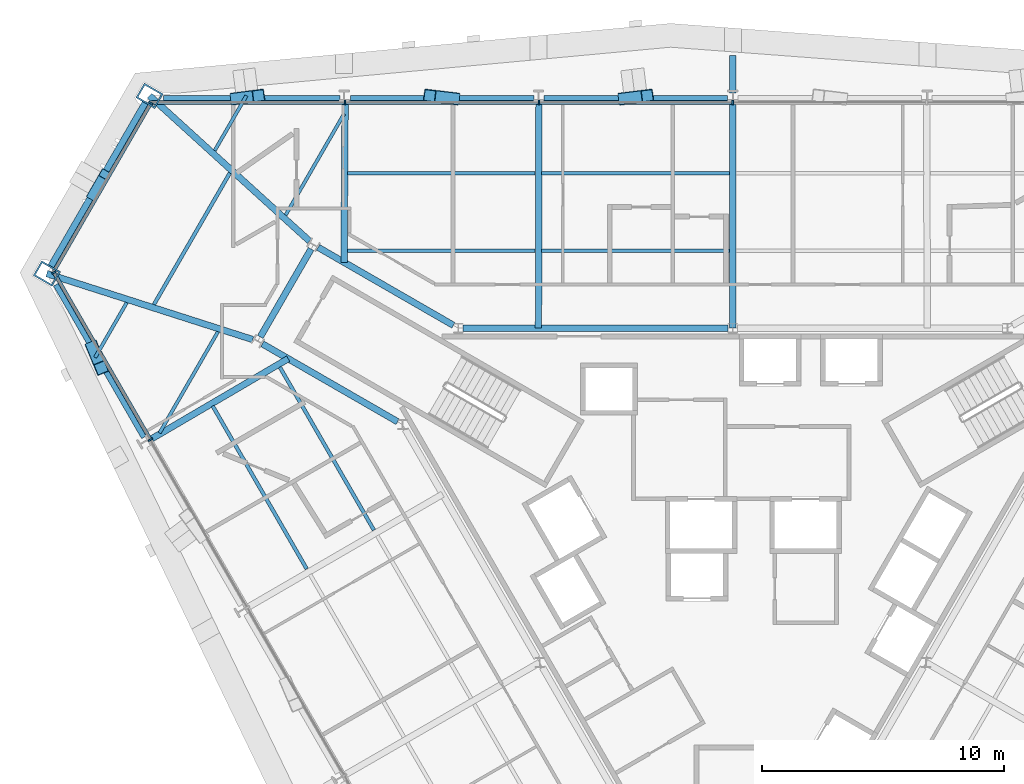
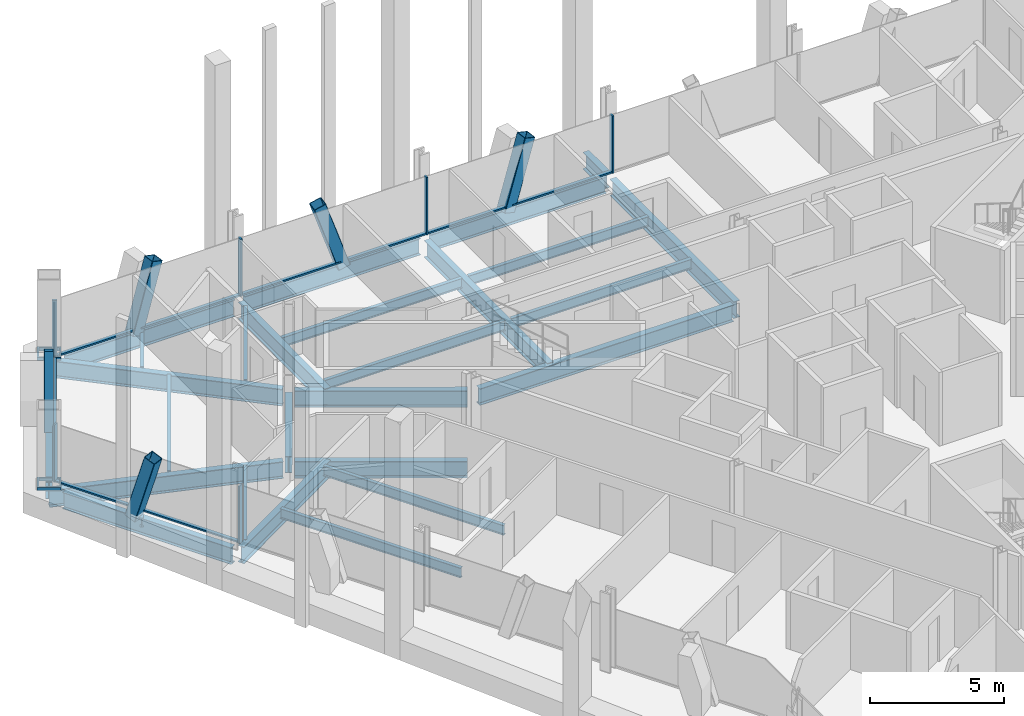
# One storey, part 6 of 16: 27 beams, 18 members, 3 elements without a shape of their own.
"""IFC4 building model written with IfcOpenShell, lengths in metres."""

from ifc_helpers import new_model, si_unit, direction, frame, origin, origin_2d, place, context, subcontext, project, spatial, rectangle, hollow_rectangle, i_section, extrude, material, material_profile, profile_set, type_object, element, aggregate, save


model = new_model("IFC4")

# Units and contexts
model_context = context("Model", 3, precision=1e-05, world=origin(), true_north=direction((0.0, 1.0)))
body_context = subcontext(model_context, "Body", "Model", "MODEL_VIEW")
ifc_project = project(units=[si_unit("LENGTHUNIT", "METRE"), si_unit("AREAUNIT", "SQUARE_METRE"), si_unit("VOLUMEUNIT", "CUBIC_METRE"), si_unit("PLANEANGLEUNIT", "RADIAN"), si_unit("MASSUNIT", "GRAM", prefix="KILO")], contexts=[model_context])

# Site, building, storey
site_placement = place(None, origin())
site = spatial("IfcSite", under=ifc_project, at=site_placement, CompositionType="ELEMENT")
building_placement = place(site_placement, origin())
building = spatial("IfcBuilding", under=site, at=building_placement, Name="Verrane Prism Tower", CompositionType="ELEMENT")
storey_placement = place(building_placement, frame((0.0, 0.0, 103.60009765625)))
storey = spatial("IfcBuildingStorey", under=building, at=storey_placement, Name="L24", CompositionType="ELEMENT", Elevation=103.60009765625)

# Member
ifc_material_1 = material(Name="Steel A500 Grade C", Category="steel")
ifc_material_profile_1 = material_profile(ifc_material_1, hollow_rectangle(XDim=0.355712890625, YDim=0.355712890625, WallThickness=0.0126953125, InnerFilletRadius=0.00634765625, OuterFilletRadius=0.01904296875, at=origin_2d()), Name="HSS14x14x1/2")
ifc_profile_set_1 = profile_set([ifc_material_profile_1], Name="Steel A500 Grade C")
member_type_1 = type_object("IfcMemberType", Name="Chamfer brace HSS14x14x1/2", PredefinedType="BRACE", material=ifc_profile_set_1)
member_1_placement = place(storey_placement, frame((-26.442626953125, 14.6826171875, -0.2451171875), z_axis=(0.159433027634, 0.276098858391, 0.94781355239), x_axis=(-0.865988354552, 0.500064165663, 0.0)))
element("IfcMember", 1, at=member_1_placement, inside=storey, type_object=member_type_1, Name="Chamfer brace NW0 L24", PredefinedType="BRACE", context=body_context, shape_type="SweptSolid", body=[
    extrude(hollow_rectangle(XDim=0.355712890625, YDim=0.355712890625, WallThickness=0.0126953125, InnerFilletRadius=0.00634765625, OuterFilletRadius=0.01904296875, at=origin_2d()), origin(), (0.0, 0.0, 1.0), 3.168212890625),
])

# Beams
ifc_material_2 = material(Name="Steel A992", Category="steel")
ifc_material_profile_2 = material_profile(ifc_material_2, i_section(OverallWidth=0.2666015625, OverallDepth=0.76708984375, WebThickness=0.014892578125, FlangeThickness=0.023681640625, FilletRadius=0.0166015625, at=origin_2d()), Name="W30x124")
ifc_profile_set_2 = profile_set([ifc_material_profile_2], Name="Steel A992")
beam_type_1 = type_object("IfcBeamType", Name="Chamfer spandrel beam W30x124", PredefinedType="SPANDREL", material=ifc_profile_set_2)
beam_1_placement = place(storey_placement, frame((-24.2451171875, 18.48681640625, -0.543701171875), z_axis=(-0.500214307011, -0.865901638214, 0.0), x_axis=(0.865901638214, -0.500214307011, 0.0)))
element("IfcBeam", 2, at=beam_1_placement, inside=storey, type_object=beam_type_1, Name="Chamfer spandrel beam L24", PredefinedType="SPANDREL", context=body_context, shape_type="SweptSolid", body=[
    extrude(i_section(OverallWidth=0.2666015625, OverallDepth=0.76708984375, WebThickness=0.014892578125, FlangeThickness=0.023681640625, FilletRadius=0.0166015625, at=origin_2d()), origin(), (0.0, 0.0, 1.0), 7.7763671875),
])
ifc_material_3 = material(Name="Steel A992", Category="steel")
ifc_material_profile_3 = material_profile(ifc_material_3, i_section(OverallWidth=0.2666015625, OverallDepth=0.7568359375, WebThickness=0.013916015625, FlangeThickness=0.019287109375, FilletRadius=0.0166015625, at=origin_2d()), Name="W30x108")
ifc_profile_set_3 = profile_set([ifc_material_profile_3], Name="Steel A992")
beam_type_2 = type_object("IfcBeamType", Name="Core ring girder W30x108", PredefinedType="BEAM", material=ifc_profile_set_3)
beam_2_placement = place(storey_placement, frame((-0.20068359375, 9.199951171875, -0.628662109375), z_axis=(-1.0, 0.0, 0.0), x_axis=(0.0, -1.0, 0.0)))
element("IfcBeam", 3, at=beam_2_placement, inside=storey, type_object=beam_type_2, Name="Core ring girder L24", PredefinedType="BEAM", context=body_context, shape_type="SweptSolid", body=[
    extrude(i_section(OverallWidth=0.2666015625, OverallDepth=0.7568359375, WebThickness=0.013916015625, FlangeThickness=0.019287109375, FilletRadius=0.0166015625, at=origin_2d()), origin(), (0.0, 0.0, 1.0), 10.9287109375),
])
beam_3_placement = place(storey_placement, frame((-11.53076171875, 9.315673828125, -0.628662109375), z_axis=(-0.866455532004, 0.499254254924, 0.0), x_axis=(-0.499254254924, -0.866455532004, 0.0)))
element("IfcBeam", 4, at=beam_3_placement, inside=storey, type_object=beam_type_2, Name="Core ring girder L24", PredefinedType="BEAM", context=body_context, shape_type="SweptSolid", body=[
    extrude(i_section(OverallWidth=0.2666015625, OverallDepth=0.7568359375, WebThickness=0.013916015625, FlangeThickness=0.019287109375, FilletRadius=0.0166015625, at=origin_2d()), origin(), (0.0, 0.0, 1.0), 6.441162109375),
])
beam_4_placement = place(storey_placement, frame((-17.40283203125, 12.4619140625, -0.628662109375), z_axis=(-0.500367003619, -0.865813410435, 0.0), x_axis=(0.865813410435, -0.500367003619, 0.0)))
element("IfcBeam", 5, at=beam_4_placement, inside=storey, type_object=beam_type_2, Name="Core ring girder L24", PredefinedType="BEAM", context=body_context, shape_type="SweptSolid", body=[
    extrude(i_section(OverallWidth=0.2666015625, OverallDepth=0.7568359375, WebThickness=0.013916015625, FlangeThickness=0.019287109375, FilletRadius=0.0166015625, at=origin_2d()), origin(), (0.0, 0.0, 1.0), 4.185302734375),
])
beam_5_placement = place(storey_placement, frame((-19.411865234375, 8.551513671875, -0.628662109375), z_axis=(0.866455532004, -0.499254254924, 0.0), x_axis=(0.499254254924, 0.866455532004, 0.0)))
element("IfcBeam", 6, at=beam_5_placement, inside=storey, type_object=beam_type_2, Name="Core ring girder L24", PredefinedType="BEAM", context=body_context, shape_type="SweptSolid", body=[
    extrude(i_section(OverallWidth=0.2666015625, OverallDepth=0.7568359375, WebThickness=0.013916015625, FlangeThickness=0.019287109375, FilletRadius=0.0166015625, at=origin_2d()), origin(), (0.0, 0.0, 1.0), 6.441162109375),
])
ifc_material_4 = material(Name="Steel A992", Category="steel")
ifc_material_profile_4 = material_profile(ifc_material_4, i_section(OverallWidth=0.2666015625, OverallDepth=0.76708984375, WebThickness=0.014892578125, FlangeThickness=0.023681640625, FilletRadius=0.0166015625, at=origin_2d()), Name="W30x124")
ifc_profile_set_4 = profile_set([ifc_material_profile_4], Name="Steel A992")
beam_type_3 = type_object("IfcBeamType", Name="Corner girder W30x124", PredefinedType="BEAM", material=ifc_profile_set_4)
beam_6_placement = place(storey_placement, frame((-24.068115234375, 18.788330078125, -0.603515625), z_axis=(0.740172818675, -0.67241668517, 0.0), x_axis=(0.67241668517, 0.740172818675, 0.0)))
element("IfcBeam", 7, at=beam_6_placement, inside=storey, type_object=beam_type_3, Name="Corner girder L24", PredefinedType="BEAM", context=body_context, shape_type="SweptSolid", body=[
    extrude(i_section(OverallWidth=0.2666015625, OverallDepth=0.76708984375, WebThickness=0.014892578125, FlangeThickness=0.023681640625, FilletRadius=0.0166015625, at=origin_2d()), origin(), (0.0, 0.0, 1.0), 8.921630859375),
])
beam_7_placement = place(storey_placement, frame((-28.3056640625, 11.448486328125, -0.603515625), z_axis=(0.952340206189, -0.305037918423, 0.0), x_axis=(0.305037918423, 0.952340206189, 0.0)))
element("IfcBeam", 8, at=beam_7_placement, inside=storey, type_object=beam_type_3, Name="Corner girder L24", PredefinedType="BEAM", context=body_context, shape_type="SweptSolid", body=[
    extrude(i_section(OverallWidth=0.2666015625, OverallDepth=0.76708984375, WebThickness=0.014892578125, FlangeThickness=0.023681640625, FilletRadius=0.0166015625, at=origin_2d()), origin(), (0.0, 0.0, 1.0), 8.919189453125),
])

# Members
ifc_material_5 = material(Name="Steel A1085 Grade A", Category="steel")
ifc_material_profile_5 = material_profile(ifc_material_5, hollow_rectangle(XDim=0.508056640625, YDim=0.508056640625, WallThickness=0.025390625, InnerFilletRadius=0.0126953125, OuterFilletRadius=0.0380859375, at=origin_2d()), Name="HSS20x20x1")
ifc_profile_set_5 = profile_set([ifc_material_profile_5], Name="Steel A1085 Grade A")
member_type_2 = type_object("IfcMemberType", Name="Facade brace HSS20x20x1", PredefinedType="BRACE", material=ifc_profile_set_5)
member_2_placement = place(storey_placement, frame((-4.47705078125, 18.67138671875, -0.24267578125), z_axis=(0.300014893604, 0.037598565831, 0.953193270782), x_axis=(-0.124349637206, 0.992238463136, 0.0)))
element("IfcMember", 9, at=member_2_placement, inside=storey, type_object=member_type_2, Name="Facade brace N3 L24", PredefinedType="BRACE", context=body_context, shape_type="SweptSolid", body=[
    extrude(hollow_rectangle(XDim=0.508056640625, YDim=0.508056640625, WallThickness=0.025390625, InnerFilletRadius=0.0126953125, OuterFilletRadius=0.0380859375, at=origin_2d()), origin(), (0.0, 0.0, 1.0), 3.15576171875),
])
member_3_placement = place(storey_placement, frame((-11.5224609375, 18.67138671875, -0.24267578125), z_axis=(-0.310589004473, 0.037464943205, 0.949805689776), x_axis=(-0.119757347049, -0.99280319189, 0.0)))
element("IfcMember", 10, at=member_3_placement, inside=storey, type_object=member_type_2, Name="Facade brace N4 L24", PredefinedType="BRACE", context=body_context, shape_type="SweptSolid", body=[
    extrude(hollow_rectangle(XDim=0.508056640625, YDim=0.508056640625, WallThickness=0.025390625, InnerFilletRadius=0.0126953125, OuterFilletRadius=0.0380859375, at=origin_2d()), origin(), (0.0, 0.0, 1.0), 3.1669921875),
])
member_4_placement = place(storey_placement, frame((-20.48046875, 18.67138671875, -0.24267578125), z_axis=(0.289257893445, 0.037729290449, 0.956507381948), x_axis=(-0.129339184068, 0.991600411186, 0.0)))
element("IfcMember", 11, at=member_4_placement, inside=storey, type_object=member_type_2, Name="Facade brace N5 L24", PredefinedType="BRACE", context=body_context, shape_type="SweptSolid", body=[
    extrude(hollow_rectangle(XDim=0.508056640625, YDim=0.508056640625, WallThickness=0.025390625, InnerFilletRadius=0.0126953125, OuterFilletRadius=0.0380859375, at=origin_2d()), origin(), (0.0, 0.0, 1.0), 3.144775390625),
])
member_5_placement = place(storey_placement, frame((-26.413818359375, 8.402587890625, -0.24267578125), z_axis=(0.111490091487, -0.269253229302, 0.956594301682), x_axis=(0.923925927829, 0.382571404949, 0.0)))
element("IfcMember", 12, at=member_5_placement, inside=storey, type_object=member_type_2, Name="Facade brace SW0 L24", PredefinedType="BRACE", context=body_context, shape_type="SweptSolid", body=[
    extrude(hollow_rectangle(XDim=0.508056640625, YDim=0.508056640625, WallThickness=0.025390625, InnerFilletRadius=0.0126953125, OuterFilletRadius=0.0380859375, at=origin_2d()), origin(), (0.0, 0.0, 1.0), 3.14453125),
])

# Beams
ifc_material_6 = material(Name="Steel A992", Category="steel")
ifc_material_profile_6 = material_profile(ifc_material_6, i_section(OverallWidth=0.140380859375, OverallDepth=0.40380859375, WebThickness=0.007080078125, FlangeThickness=0.01123046875, FilletRadius=0.01025390625, at=origin_2d()), Name="W16x31")
ifc_profile_set_6 = profile_set([ifc_material_profile_6], Name="Steel A992")
beam_type_4 = type_object("IfcBeamType", Name="Floor beam W16x31", PredefinedType="BEAM", material=ifc_profile_set_6)
beam_8_placement = place(storey_placement, frame((-18.4501953125, 13.864990234375, -0.362060546875), z_axis=(0.499995735968, 0.866027865611, 0.0), x_axis=(-0.866027865611, 0.499995735968, 0.0)))
element("IfcBeam", 13, at=beam_8_placement, inside=storey, type_object=beam_type_4, Name="Floor beam L24", PredefinedType="BEAM", context=body_context, shape_type="SweptSolid", body=[
    extrude(i_section(OverallWidth=0.140380859375, OverallDepth=0.40380859375, WebThickness=0.007080078125, FlangeThickness=0.01123046875, FilletRadius=0.01025390625, at=origin_2d()), origin(), (0.0, 0.0, 1.0), 4.8203125),
])
beam_9_placement = place(storey_placement, frame((-21.37744140625, 16.5244140625, -0.362060546875), z_axis=(0.500013263306, 0.866017746076, 0.0), x_axis=(-0.866017746076, 0.500013263306, 0.0)))
element("IfcBeam", 14, at=beam_9_placement, inside=storey, type_object=beam_type_4, Name="Floor beam L24", PredefinedType="BEAM", context=body_context, shape_type="SweptSolid", body=[
    extrude(i_section(OverallWidth=0.140380859375, OverallDepth=0.40380859375, WebThickness=0.007080078125, FlangeThickness=0.01123046875, FilletRadius=0.01025390625, at=origin_2d()), origin(), (0.0, 0.0, 1.0), 2.6162109375),
])
beam_10_placement = place(storey_placement, frame((-23.654052734375, 4.873291015625, -0.362060546875), z_axis=(0.499991431567, 0.866030350715, 0.0), x_axis=(-0.866030350715, 0.499991431567, 0.0)))
element("IfcBeam", 15, at=beam_10_placement, inside=storey, type_object=beam_type_4, Name="Floor beam L24", PredefinedType="BEAM", context=body_context, shape_type="SweptSolid", body=[
    extrude(i_section(OverallWidth=0.140380859375, OverallDepth=0.40380859375, WebThickness=0.007080078125, FlangeThickness=0.01123046875, FilletRadius=0.01025390625, at=origin_2d()), origin(), (0.0, 0.0, 1.0), 4.81884765625),
])
beam_11_placement = place(storey_placement, frame((-26.31298828125, 7.98876953125, -0.362060546875), z_axis=(0.500037863578, 0.866003542134, 0.0), x_axis=(-0.866003542134, 0.500037863578, 0.0)))
element("IfcBeam", 16, at=beam_11_placement, inside=storey, type_object=beam_type_4, Name="Floor beam L24", PredefinedType="BEAM", context=body_context, shape_type="SweptSolid", body=[
    extrude(i_section(OverallWidth=0.140380859375, OverallDepth=0.40380859375, WebThickness=0.007080078125, FlangeThickness=0.01123046875, FilletRadius=0.01025390625, at=origin_2d()), origin(), (0.0, 0.0, 1.0), 2.613037109375),
])
ifc_material_7 = material(Name="Steel A992", Category="steel")
ifc_material_profile_7 = material_profile(ifc_material_7, i_section(OverallWidth=0.15234375, OverallDepth=0.449462890625, WebThickness=0.007568359375, FlangeThickness=0.0107421875, FilletRadius=0.01025390625, at=origin_2d()), Name="W18x35")
ifc_profile_set_7 = profile_set([ifc_material_profile_7], Name="Steel A992")
beam_type_5 = type_object("IfcBeamType", Name="Floor beam W18x35", PredefinedType="BEAM", material=ifc_profile_set_7)
for number, where, z_axis, x_axis, name in (
    (17, (-7.886474609375, 12.396728515625, -0.385009765625), (1.0, 0.0, 0.0), (0.0, 1.0, 0.0), "Floor beam L24"),
    (18, (-7.886474609375, 15.59326171875, -0.385009765625), (1.0, 0.0, 0.0), (0.0, 1.0, 0.0), "Floor beam L24"),
    (19, (-15.906494140625, 12.396728515625, -0.385009765625), (1.0, 0.0, 0.0), (0.0, 1.0, 0.0), "Floor beam L24"),
    (20, (-15.906494140625, 15.59326171875, -0.385009765625), (1.0, 0.0, 0.0), (0.0, 1.0, 0.0), "Floor beam L24"),
):
    element("IfcBeam", number, at=place(storey_placement, frame(where, z_axis=z_axis, x_axis=x_axis)), inside=storey, type_object=beam_type_5, Name=name, PredefinedType="BEAM", context=body_context, shape_type="SweptSolid", body=[
        extrude(i_section(OverallWidth=0.15234375, OverallDepth=0.449462890625, WebThickness=0.007568359375, FlangeThickness=0.0107421875, FilletRadius=0.01025390625, at=origin_2d()), origin(), (0.0, 0.0, 1.0), 7.7529296875),
    ])
beam_12_placement = place(storey_placement, frame((-14.80859375, 0.864501953125, -0.385009765625), z_axis=(-0.500014594887, 0.866016977259, 0.0), x_axis=(-0.866016977259, -0.500014594887, 0.0)))
element("IfcBeam", 21, at=beam_12_placement, inside=storey, type_object=beam_type_5, Name="Floor beam L24", PredefinedType="BEAM", context=body_context, shape_type="SweptSolid", body=[
    extrude(i_section(OverallWidth=0.15234375, OverallDepth=0.449462890625, WebThickness=0.007568359375, FlangeThickness=0.0107421875, FilletRadius=0.01025390625, at=origin_2d()), origin(), (0.0, 0.0, 1.0), 7.764404296875),
])
beam_13_placement = place(storey_placement, frame((-17.58056640625, -0.736572265625, -0.385009765625), z_axis=(-0.499974721637, 0.866039997762, 0.0), x_axis=(-0.866039997762, -0.499974721637, 0.0)))
element("IfcBeam", 22, at=beam_13_placement, inside=storey, type_object=beam_type_5, Name="Floor beam L24", PredefinedType="BEAM", context=body_context, shape_type="SweptSolid", body=[
    extrude(i_section(OverallWidth=0.15234375, OverallDepth=0.449462890625, WebThickness=0.007568359375, FlangeThickness=0.0107421875, FilletRadius=0.01025390625, at=origin_2d()), origin(), (0.0, 0.0, 1.0), 7.76318359375),
])
beam_14_placement = place(storey_placement, frame((-23.8857421875, 10.173095703125, -0.385009765625), z_axis=(0.50001262068, 0.866018117109, 0.0), x_axis=(-0.866018117109, 0.50001262068, 0.0)))
element("IfcBeam", 23, at=beam_14_placement, inside=storey, type_object=beam_type_5, Name="Floor beam L24", PredefinedType="BEAM", context=body_context, shape_type="SweptSolid", body=[
    extrude(i_section(OverallWidth=0.15234375, OverallDepth=0.449462890625, WebThickness=0.007568359375, FlangeThickness=0.0107421875, FilletRadius=0.01025390625, at=origin_2d()), origin(), (0.0, 0.0, 1.0), 6.263427734375),
])

# Members
ifc_material_8 = material(Name="Steel A572 Grade 50", Category="steel")
ifc_material_profile_8 = material_profile(ifc_material_8, hollow_rectangle(XDim=0.699951171875, YDim=0.89990234375, WallThickness=0.06494140625, at=origin_2d()), Name="BOX 900x700x65")
ifc_profile_set_8 = profile_set([ifc_material_profile_8], Name="Steel A572 Grade 50")
member_type_3 = type_object("IfcMemberType", Name="Kink node BOX 900x700x65", PredefinedType="COLLAR", material=ifc_profile_set_8)
for number, where, z_axis, x_axis, name in (
    (24, (-24.06591796875, 18.78271484375, -0.0751953125), (0.0, 0.0, 1.0), (0.5, 0.866025403784, 0.0), "Kink node MC3 L24"),
    (25, (-28.301513671875, 11.449951171875, -0.0751953125), (0.0, 0.0, 1.0), (0.5, 0.866025403784, 0.0), "Kink node MC3 L24"),
):
    element("IfcMember", number, at=place(storey_placement, frame(where, z_axis=z_axis, x_axis=x_axis)), inside=storey, type_object=member_type_3, Name=name, PredefinedType="COLLAR", context=body_context, shape_type="SweptSolid", body=[
        extrude(hollow_rectangle(XDim=0.699951171875, YDim=0.89990234375, WallThickness=0.06494140625, at=origin_2d()), origin(), (0.0, 0.0, 1.0), 0.150146484375),
    ])

# Curtain wall, members
ifc_material_9 = material(Name="Aluminium framed insulated glazing", Category="aluminium")
curtain_wall_type = type_object("IfcCurtainWallType", Name="Curtain wall CW-A 8400 module", PredefinedType="NOTDEFINED", material=ifc_material_9)
curtain_wall_1_placement = place(storey_placement, origin())
curtain_wall_1 = element("IfcCurtainWall", 26, at=curtain_wall_1_placement, inside=storey, type_object=curtain_wall_type, Name="Glazed curtain wall north face L24", PredefinedType="NOTDEFINED")
ifc_material_10 = material(Name="Aluminium alloy 6063-T6", Category="aluminium")
ifc_material_profile_9 = material_profile(ifc_material_10, rectangle(XDim=0.199951171875, YDim=0.070068359375, at=origin_2d()), Name="Mullion 70x200 aluminium")
ifc_profile_set_9 = profile_set([ifc_material_profile_9], Name="Aluminium alloy 6063-T6")
member_type_4 = type_object("IfcMemberType", Name="Mullion 70x200 aluminium", PredefinedType="MULLION", material=ifc_profile_set_9)
member_6_placement = place(storey_placement, frame((0.0, 18.510986328125, 0.0), z_axis=(0.0, 0.0, 1.0), x_axis=(0.0, -1.0, 0.0)))
member_6 = element("IfcMember", 27, at=member_6_placement, type_object=member_type_4, Name="CW24.2 mullion 4", PredefinedType="MULLION", context=body_context, shape_type="SweptSolid", body=[
    extrude(rectangle(XDim=0.199951171875, YDim=0.070068359375, at=origin_2d()), origin(), (0.0, 0.0, 1.0), 2.61279296875),
])
member_7_placement = place(storey_placement, frame((-7.998046875, 18.510986328125, 0.0), z_axis=(0.0, 0.0, 1.0), x_axis=(0.0, -1.0, 0.0)))
member_7 = element("IfcMember", 28, at=member_7_placement, type_object=member_type_4, Name="CW24.2 mullion 5", PredefinedType="MULLION", context=body_context, shape_type="SweptSolid", body=[
    extrude(rectangle(XDim=0.199951171875, YDim=0.070068359375, at=origin_2d()), origin(), (0.0, 0.0, 1.0), 2.61279296875),
])
member_8_placement = place(storey_placement, frame((-15.99609375, 18.510986328125, 0.0), z_axis=(0.0, 0.0, 1.0), x_axis=(0.0, -1.0, 0.0)))
member_8 = element("IfcMember", 29, at=member_8_placement, type_object=member_type_4, Name="CW24.2 mullion 6", PredefinedType="MULLION", context=body_context, shape_type="SweptSolid", body=[
    extrude(rectangle(XDim=0.199951171875, YDim=0.070068359375, at=origin_2d()), origin(), (0.0, 0.0, 1.0), 2.61279296875),
])

# Curtain wall, member
curtain_wall_2_placement = place(storey_placement, origin())
curtain_wall_2 = element("IfcCurtainWall", 30, at=curtain_wall_2_placement, inside=storey, type_object=curtain_wall_type, Name="Glazed curtain wall north-west corner L24", PredefinedType="NOTDEFINED")
member_9_placement = place(storey_placement, frame((-24.01171875, 18.480712890625, 0.0), z_axis=(0.0, 0.0, 1.0), x_axis=(0.866027890405, -0.499995693021, 0.0)))
member_9 = element("IfcMember", 31, at=member_9_placement, type_object=member_type_4, Name="CW24.3 mullion 1", PredefinedType="MULLION", context=body_context, shape_type="SweptSolid", body=[
    extrude(rectangle(XDim=0.199951171875, YDim=0.070068359375, at=origin_2d()), origin(), (0.0, 0.0, 1.0), 2.61279296875),
])

# Curtain wall, members
curtain_wall_3_placement = place(storey_placement, origin())
curtain_wall_3 = element("IfcCurtainWall", 32, at=curtain_wall_3_placement, inside=storey, type_object=curtain_wall_type, Name="Glazed curtain wall south-west face L24", PredefinedType="NOTDEFINED")
member_10_placement = place(storey_placement, frame((-28.010498046875, 11.49365234375, 0.0), z_axis=(0.0, 0.0, 1.0), x_axis=(0.866025402318, 0.500000002539, 0.0)))
member_10 = element("IfcMember", 33, at=member_10_placement, type_object=member_type_4, Name="CW24.4 mullion 1", PredefinedType="MULLION", context=body_context, shape_type="SweptSolid", body=[
    extrude(rectangle(XDim=0.199951171875, YDim=0.070068359375, at=origin_2d()), origin(), (0.0, 0.0, 1.0), 2.61279296875),
])
member_11_placement = place(storey_placement, frame((-24.029052734375, 4.597412109375, 0.0), z_axis=(0.0, 0.0, 1.0), x_axis=(0.866025402318, 0.500000002539, 0.0)))
member_11 = element("IfcMember", 34, at=member_11_placement, type_object=member_type_4, Name="CW24.4 mullion 2", PredefinedType="MULLION", context=body_context, shape_type="SweptSolid", body=[
    extrude(rectangle(XDim=0.199951171875, YDim=0.070068359375, at=origin_2d()), origin(), (0.0, 0.0, 1.0), 2.61279296875),
])

# Beams
ifc_material_11 = material(Name="Steel A992", Category="steel")
ifc_material_profile_10 = material_profile(ifc_material_11, i_section(OverallWidth=0.2666015625, OverallDepth=0.76708984375, WebThickness=0.014892578125, FlangeThickness=0.023681640625, FilletRadius=0.0166015625, at=origin_2d()), Name="W30x124")
ifc_profile_set_10 = profile_set([ifc_material_profile_10], Name="Steel A992")
beam_type_6 = type_object("IfcBeamType", Name="Radial girder W30x124", PredefinedType="BEAM", material=ifc_profile_set_10)
for number, where, z_axis, x_axis, name in (
    (35, (0.0, 18.433837890625, -0.603515625), (0.0, -1.0, 0.0), (1.0, 0.0, 0.0), "Radial girder L24"),
    (36, (-7.99853515625, 18.433837890625, -0.603515625), (-0.002326681873, -0.999997293272, 0.0), (0.999997293272, -0.002326681873, 0.0), "Radial girder L24"),
):
    element("IfcBeam", number, at=place(storey_placement, frame(where, z_axis=z_axis, x_axis=x_axis)), inside=storey, type_object=beam_type_6, Name=name, PredefinedType="BEAM", context=body_context, shape_type="SweptSolid", body=[
        extrude(i_section(OverallWidth=0.2666015625, OverallDepth=0.76708984375, WebThickness=0.014892578125, FlangeThickness=0.023681640625, FilletRadius=0.0166015625, at=origin_2d()), origin(), (0.0, 0.0, 1.0), 9.23388671875),
    ])
beam_15_placement = place(storey_placement, frame((-15.997314453125, 18.433837890625, -0.603515625), z_axis=(-0.006552939248, -0.999978529263, 0.0), x_axis=(0.999978529263, -0.006552939248, 0.0)))
element("IfcBeam", 37, at=beam_15_placement, inside=storey, type_object=beam_type_6, Name="Radial girder L24", PredefinedType="BEAM", context=body_context, shape_type="SweptSolid", body=[
    extrude(i_section(OverallWidth=0.2666015625, OverallDepth=0.76708984375, WebThickness=0.014892578125, FlangeThickness=0.023681640625, FilletRadius=0.0166015625, at=origin_2d()), origin(), (0.0, 0.0, 1.0), 6.52001953125),
])
beam_16_placement = place(storey_placement, frame((-23.968017578125, 4.640380859375, -0.603515625), z_axis=(0.862593129659, 0.50589830269, 0.0), x_axis=(-0.50589830269, 0.862593129659, 0.0)))
element("IfcBeam", 38, at=beam_16_placement, inside=storey, type_object=beam_type_6, Name="Radial girder L24", PredefinedType="BEAM", context=body_context, shape_type="SweptSolid", body=[
    extrude(i_section(OverallWidth=0.2666015625, OverallDepth=0.76708984375, WebThickness=0.014892578125, FlangeThickness=0.023681640625, FilletRadius=0.0166015625, at=origin_2d()), origin(), (0.0, 0.0, 1.0), 6.517333984375),
])
beam_17_placement = place(storey_placement, frame((0.0, 18.90478515625, -0.603515625), z_axis=(0.0, 1.0, 0.0), x_axis=(-1.0, 0.0, 0.0)))
element("IfcBeam", 39, at=beam_17_placement, inside=storey, type_object=beam_type_6, Name="Cantilever girder L24", PredefinedType="BEAM", context=body_context, shape_type="SweptSolid", body=[
    extrude(i_section(OverallWidth=0.2666015625, OverallDepth=0.76708984375, WebThickness=0.014892578125, FlangeThickness=0.023681640625, FilletRadius=0.0166015625, at=origin_2d()), origin(), (0.0, 0.0, 1.0), 1.5390625),
])
ifc_material_12 = material(Name="Steel A992", Category="steel")
ifc_material_profile_11 = material_profile(ifc_material_12, i_section(OverallWidth=0.2666015625, OverallDepth=0.7568359375, WebThickness=0.013916015625, FlangeThickness=0.019287109375, FilletRadius=0.0166015625, at=origin_2d()), Name="W30x108")
ifc_profile_set_11 = profile_set([ifc_material_profile_11], Name="Steel A992")
beam_type_7 = type_object("IfcBeamType", Name="Spandrel beam W30x108", PredefinedType="SPANDREL", material=ifc_profile_set_11)
beam_18_placement = place(storey_placement, frame((-0.212158203125, 18.67138671875, -0.53857421875), z_axis=(-1.0, 0.0, 0.0), x_axis=(0.0, -1.0, 0.0)))
element("IfcBeam", 40, at=beam_18_placement, inside=storey, type_object=beam_type_7, Name="Spandrel beam L24", PredefinedType="SPANDREL", context=body_context, shape_type="SweptSolid", body=[
    extrude(i_section(OverallWidth=0.2666015625, OverallDepth=0.7568359375, WebThickness=0.013916015625, FlangeThickness=0.019287109375, FilletRadius=0.0166015625, at=origin_2d()), origin(), (0.0, 0.0, 1.0), 7.57373046875),
])
beam_19_placement = place(storey_placement, frame((-8.210205078125, 18.67138671875, -0.53857421875), z_axis=(-1.0, 0.0, 0.0), x_axis=(0.0, -1.0, 0.0)))
element("IfcBeam", 41, at=beam_19_placement, inside=storey, type_object=beam_type_7, Name="Spandrel beam L24", PredefinedType="SPANDREL", context=body_context, shape_type="SweptSolid", body=[
    extrude(i_section(OverallWidth=0.2666015625, OverallDepth=0.7568359375, WebThickness=0.013916015625, FlangeThickness=0.019287109375, FilletRadius=0.0166015625, at=origin_2d()), origin(), (0.0, 0.0, 1.0), 7.573486328125),
])
beam_20_placement = place(storey_placement, frame((-16.2080078125, 18.67138671875, -0.53857421875), z_axis=(-1.0, 0.0, 0.0), x_axis=(0.0, -1.0, 0.0)))
element("IfcBeam", 42, at=beam_20_placement, inside=storey, type_object=beam_type_7, Name="Spandrel beam L24", PredefinedType="SPANDREL", context=body_context, shape_type="SweptSolid", body=[
    extrude(i_section(OverallWidth=0.2666015625, OverallDepth=0.7568359375, WebThickness=0.013916015625, FlangeThickness=0.019287109375, FilletRadius=0.0166015625, at=origin_2d()), origin(), (0.0, 0.0, 1.0), 7.27294921875),
])
beam_21_placement = place(storey_placement, frame((-27.912841796875, 11.0, -0.53857421875), z_axis=(0.499906579668, -0.86607933332, 0.0), x_axis=(0.86607933332, 0.499906579668, 0.0)))
element("IfcBeam", 43, at=beam_21_placement, inside=storey, type_object=beam_type_7, Name="Spandrel beam L24", PredefinedType="SPANDREL", context=body_context, shape_type="SweptSolid", body=[
    extrude(i_section(OverallWidth=0.2666015625, OverallDepth=0.7568359375, WebThickness=0.013916015625, FlangeThickness=0.019287109375, FilletRadius=0.0166015625, at=origin_2d()), origin(), (0.0, 0.0, 1.0), 7.26953125),
])

# Member
ifc_material_13 = material(Name="Aluminium alloy 6063-T6", Category="aluminium")
ifc_material_profile_12 = material_profile(ifc_material_13, rectangle(XDim=0.14990234375, YDim=0.070068359375, at=origin_2d()), Name="Transom 70x150 aluminium")
ifc_profile_set_12 = profile_set([ifc_material_profile_12], Name="Aluminium alloy 6063-T6")
member_type_5 = type_object("IfcMemberType", Name="Transom 70x150 aluminium", PredefinedType="USERDEFINED", material=ifc_profile_set_12)
member_12_placement = place(storey_placement, frame((-0.034912109375, 18.510986328125, 0.034912109375), z_axis=(-1.0, 0.0, 0.0), x_axis=(0.0, -1.0, 0.0)))
member_12 = element("IfcMember", 44, at=member_12_placement, type_object=member_type_5, Name="CW24.2 transom 4", ObjectType="TRANSOM", PredefinedType="USERDEFINED", context=body_context, shape_type="SweptSolid", body=[
    extrude(rectangle(XDim=0.14990234375, YDim=0.070068359375, at=origin_2d()), origin(), (0.0, 0.0, 1.0), 7.92822265625),
])

member_13_placement = place(storey_placement, frame((-8.032958984375, 18.510986328125, 0.034912109375), z_axis=(-1.0, 0.0, 0.0), x_axis=(0.0, -1.0, 0.0)))
member_13 = element("IfcMember", 45, at=member_13_placement, type_object=member_type_5, Name="CW24.2 transom 5", ObjectType="TRANSOM", PredefinedType="USERDEFINED", context=body_context, shape_type="SweptSolid", body=[
    extrude(rectangle(XDim=0.14990234375, YDim=0.070068359375, at=origin_2d()), origin(), (0.0, 0.0, 1.0), 7.92822265625),
])

member_14_placement = place(storey_placement, frame((-16.031005859375, 18.510986328125, 0.034912109375), z_axis=(-1.0, 0.0, 0.0), x_axis=(0.0, -1.0, 0.0)))
member_14 = element("IfcMember", 46, at=member_14_placement, type_object=member_type_5, Name="CW24.2 transom 6", ObjectType="TRANSOM", PredefinedType="USERDEFINED", context=body_context, shape_type="SweptSolid", body=[
    extrude(rectangle(XDim=0.14990234375, YDim=0.070068359375, at=origin_2d()), origin(), (0.0, 0.0, 1.0), 7.963134765625),
])

aggregate(curtain_wall_1, [member_6, member_7, member_8, member_12, member_13, member_14])

member_15_placement = place(storey_placement, frame((-24.029052734375, 18.450439453125, 0.034912109375), z_axis=(-0.499999897272, -0.866025463095, 0.0), x_axis=(0.866025463095, -0.499999897272, 0.0)))
member_15 = element("IfcMember", 47, at=member_15_placement, type_object=member_type_5, Name="CW24.3 transom 1", ObjectType="TRANSOM", PredefinedType="USERDEFINED", context=body_context, shape_type="SweptSolid", body=[
    extrude(rectangle(XDim=0.14990234375, YDim=0.070068359375, at=origin_2d()), origin(), (0.0, 0.0, 1.0), 7.998046875),
])

aggregate(curtain_wall_2, [member_9, member_15])

member_16_placement = place(storey_placement, frame((-27.992919921875, 11.46337890625, 0.034912109375), z_axis=(0.500008053694, -0.866020753932, 0.0), x_axis=(0.866020753932, 0.500008053694, 0.0)))
member_16 = element("IfcMember", 48, at=member_16_placement, type_object=member_type_5, Name="CW24.4 transom 1", ObjectType="TRANSOM", PredefinedType="USERDEFINED", context=body_context, shape_type="SweptSolid", body=[
    extrude(rectangle(XDim=0.14990234375, YDim=0.070068359375, at=origin_2d()), origin(), (0.0, 0.0, 1.0), 7.892822265625),
])

aggregate(curtain_wall_3, [member_10, member_11, member_16])

save(model, "model.ifc")
